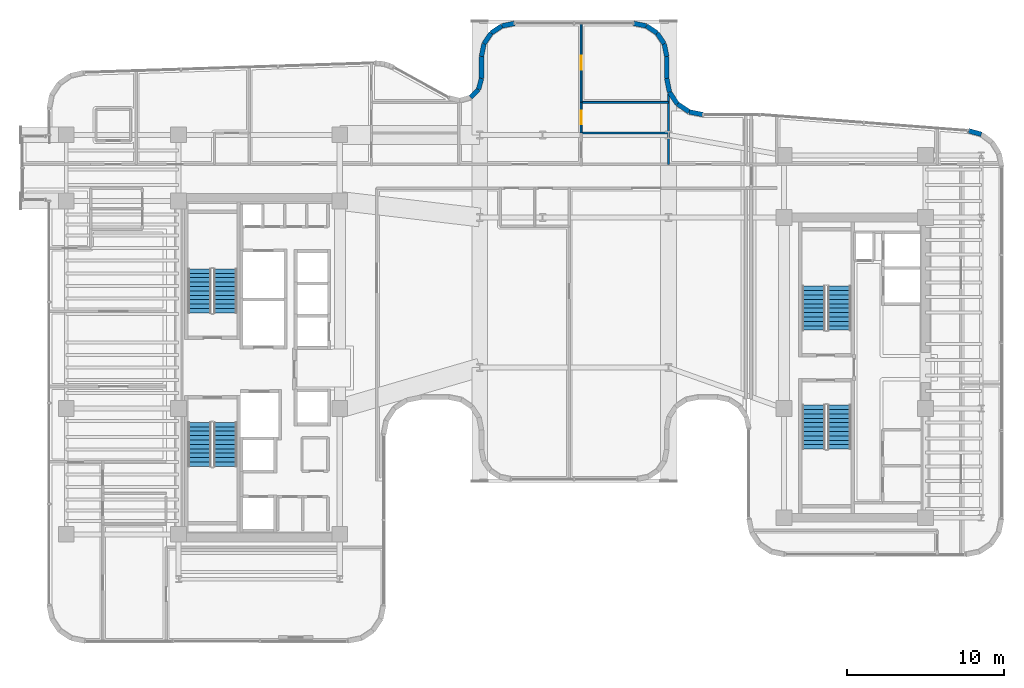
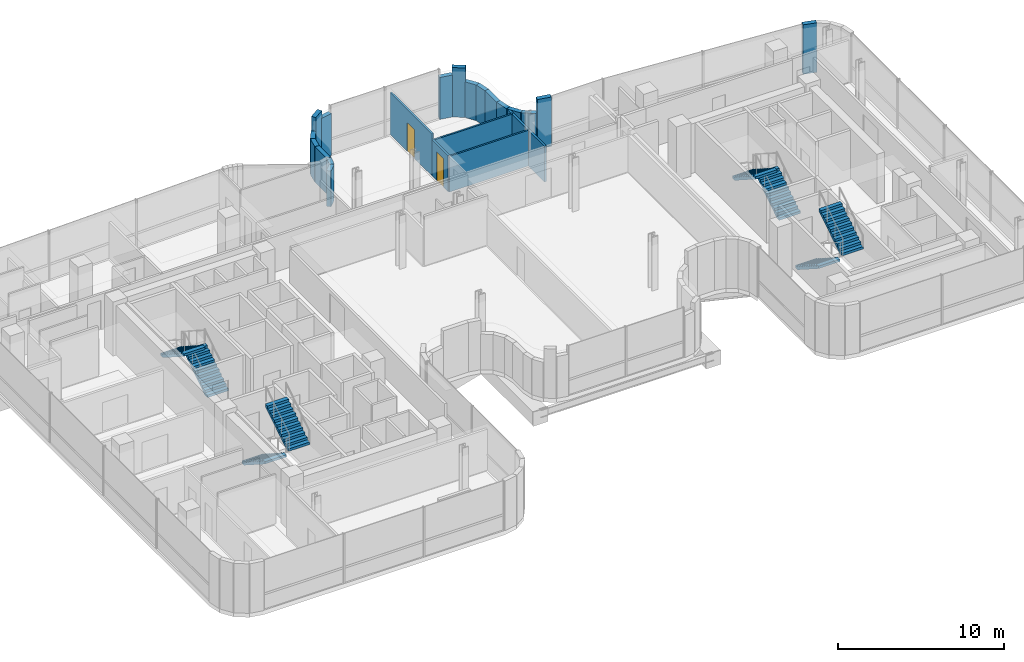
# One storey, part 32 of 39: 22 walls, 8 stair flights, 2 doors, 2 openings, 4 elements without a shape of their own.
"""IFC4 building model written with IfcOpenShell, lengths in metres."""

from ifc_helpers import new_model, si_unit, direction, frame, frame_2d, origin, place, context, subcontext, project, spatial, polyline, rectangle, outline, extrude, material, layer, layer_set, type_object, element, fill, aggregate, save


model = new_model("IFC4")

# Units and contexts
model_context = context("Model", 3, precision=1e-05, world=origin(), true_north=direction((0.0, 1.0)))
body_context = subcontext(model_context, "Body", "Model", "MODEL_VIEW")
ifc_project = project(units=[si_unit("LENGTHUNIT", "METRE"), si_unit("AREAUNIT", "SQUARE_METRE"), si_unit("VOLUMEUNIT", "CUBIC_METRE"), si_unit("PLANEANGLEUNIT", "RADIAN"), si_unit("MASSUNIT", "GRAM", prefix="KILO")], contexts=[model_context])

# Site, building, storey
site_placement = place(None, origin())
site = spatial("IfcSite", under=ifc_project, at=site_placement, CompositionType="ELEMENT")
building_placement = place(site_placement, origin())
building = spatial("IfcBuilding", under=site, at=building_placement, Name="Valdorenza Pilgrim Sanctuary Tower", CompositionType="ELEMENT")
storey_placement = place(building_placement, frame((0.0, 0.0, 184.449951171875)))
storey = spatial("IfcBuildingStorey", under=building, at=storey_placement, Name="L47", CompositionType="ELEMENT", Elevation=184.449951171875)

# Walls
ifc_material_1 = material(Name="Honed travertine limestone", Category="masonry")
ifc_layer_1 = layer(ifc_material_1, 0.300048828125, Name="Honed travertine limestone")
ifc_layer_set_1 = layer_set([ifc_layer_1], Name="Honed travertine limestone")
wall_type_1 = type_object("IfcWallType", Name="WAL-EXT-300", PredefinedType="SOLIDWALL", material=ifc_layer_set_1)
wall_1_placement = place(storey_placement, frame((-4.08203125, 17.184326171875, 0.0), z_axis=(0.0, 0.0, 1.0), x_axis=(0.701538604215, 0.712631452293, 0.0)))
element("IfcWall", 1, at=wall_1_placement, inside=storey, type_object=wall_type_1, Name="L47 Rounded Wind-Corner Stone Pier 14", PredefinedType="SOLIDWALL", context=body_context, shape_type="SweptSolid", body=[
    extrude(rectangle(XDim=0.726318359375, YDim=0.300048828125, at=frame_2d((0.36328125, 0.0))), origin(), (0.0, 0.0, 1.0), 2.614990234375),
])
wall_2_placement = place(storey_placement, frame((-3.572509765625, 17.701904296875, 0.0), z_axis=(0.0, 0.0, 1.0), x_axis=(0.256637481794, 0.966507735581, 0.0)))
element("IfcWall", 2, at=wall_2_placement, inside=storey, type_object=wall_type_1, Name="L47 Rounded Wind-Corner Stone Pier 15", PredefinedType="SOLIDWALL", context=body_context, shape_type="SweptSolid", body=[
    extrude(rectangle(XDim=0.711669921875, YDim=0.300048828125, at=frame_2d((0.35595703125, 0.0))), origin(), (0.0, 0.0, 1.0), 2.614990234375),
])
wall_3_placement = place(storey_placement, frame((-3.389892578125, 18.3896484375, 0.0), z_axis=(0.0, 0.0, 1.0), x_axis=(0.0, 1.0, 0.0)))
element("IfcWall", 3, at=wall_3_placement, inside=storey, type_object=wall_type_1, Name="L47 Rounded Wind-Corner Stone Pier 16", PredefinedType="SOLIDWALL", context=body_context, shape_type="SweptSolid", body=[
    extrude(rectangle(XDim=1.3955078125, YDim=0.300048828125, at=frame_2d((0.69775390625, 0.0))), origin(), (0.0, 0.0, 1.0), 2.614990234375),
])
wall_4_placement = place(storey_placement, frame((-3.389892578125, 19.78515625, 0.0), z_axis=(0.0, 0.0, 1.0), x_axis=(0.195094354541, 0.980784478276, 0.0)))
element("IfcWall", 4, at=wall_4_placement, inside=storey, type_object=wall_type_1, Name="L47 Rounded Wind-Corner Stone Pier 17", PredefinedType="SOLIDWALL", context=body_context, shape_type="SweptSolid", body=[
    extrude(rectangle(XDim=0.8271484375, YDim=0.300048828125, at=frame_2d((0.41357421875, 0.0))), origin(), (0.0, 0.0, 1.0), 2.614990234375),
])
wall_5_placement = place(storey_placement, frame((-3.228515625, 20.596435546875, 0.0), z_axis=(0.0, 0.0, 1.0), x_axis=(0.55545926088, 0.831543750805, 0.0)))
element("IfcWall", 5, at=wall_5_placement, inside=storey, type_object=wall_type_1, Name="L47 Rounded Wind-Corner Stone Pier 18", PredefinedType="SOLIDWALL", context=body_context, shape_type="SweptSolid", body=[
    extrude(rectangle(XDim=0.816162109375, YDim=0.300048828125, at=frame_2d((0.408203125, 0.0))), origin(), (0.0, 0.0, 1.0), 2.614990234375),
])
wall_6_placement = place(storey_placement, frame((-2.775146484375, 21.275146484375, 0.0), z_axis=(0.0, 0.0, 1.0), x_axis=(0.831543750805, 0.55545926088, 0.0)))
element("IfcWall", 6, at=wall_6_placement, inside=storey, type_object=wall_type_1, Name="L47 Rounded Wind-Corner Stone Pier 19", PredefinedType="SOLIDWALL", context=body_context, shape_type="SweptSolid", body=[
    extrude(rectangle(XDim=0.816162109375, YDim=0.300048828125, at=frame_2d((0.408203125, 0.0))), origin(), (0.0, 0.0, 1.0), 3.630126953125),
])
for number, where, z_axis, x_axis, name in (
    (7, (-2.096435546875, 21.728515625, 0.0), (0.0, 0.0, 1.0), (0.980784478276, 0.195094354541, 0.0), "L47 Rounded Wind-Corner Stone Pier 20"),
    (8, (6.28515625, 21.889892578125, 0.0), (0.0, 0.0, 1.0), (0.980784478276, -0.195094354541, 0.0), "L47 Rounded Wind-Corner Stone Pier 22"),
):
    element("IfcWall", number, at=place(storey_placement, frame(where, z_axis=z_axis, x_axis=x_axis)), inside=storey, type_object=wall_type_1, Name=name, PredefinedType="SOLIDWALL", context=body_context, shape_type="SweptSolid", body=[
        extrude(rectangle(XDim=0.8271484375, YDim=0.300048828125, at=frame_2d((0.41357421875, 0.0))), origin(), (0.0, 0.0, 1.0), 3.075927734375),
    ])
wall_7_placement = place(storey_placement, frame((7.096435546875, 21.728515625, 0.0), z_axis=(0.0, 0.0, 1.0), x_axis=(0.831543750805, -0.55545926088, 0.0)))
element("IfcWall", 9, at=wall_7_placement, inside=storey, type_object=wall_type_1, Name="L47 Rounded Wind-Corner Stone Pier 23", PredefinedType="SOLIDWALL", context=body_context, shape_type="SweptSolid", body=[
    extrude(rectangle(XDim=0.816162109375, YDim=0.300048828125, at=frame_2d((0.408203125, 0.0))), origin(), (0.0, 0.0, 1.0), 3.630126953125),
])
wall_8_placement = place(storey_placement, frame((7.775146484375, 21.275146484375, 0.0), z_axis=(0.0, 0.0, 1.0), x_axis=(0.55545926088, -0.831543750805, 0.0)))
element("IfcWall", 10, at=wall_8_placement, inside=storey, type_object=wall_type_1, Name="L47 Rounded Wind-Corner Stone Pier 24", PredefinedType="SOLIDWALL", context=body_context, shape_type="SweptSolid", body=[
    extrude(rectangle(XDim=0.816162109375, YDim=0.300048828125, at=frame_2d((0.408203125, 0.0))), origin(), (0.0, 0.0, 1.0), 2.614990234375),
])
wall_9_placement = place(storey_placement, frame((8.228515625, 20.596435546875, 0.0), z_axis=(0.0, 0.0, 1.0), x_axis=(0.195094354541, -0.980784478276, 0.0)))
element("IfcWall", 11, at=wall_9_placement, inside=storey, type_object=wall_type_1, Name="L47 Rounded Wind-Corner Stone Pier 25", PredefinedType="SOLIDWALL", context=body_context, shape_type="SweptSolid", body=[
    extrude(rectangle(XDim=0.8271484375, YDim=0.300048828125, at=frame_2d((0.41357421875, 0.0))), origin(), (0.0, 0.0, 1.0), 2.614990234375),
])
wall_10_placement = place(storey_placement, frame((8.389892578125, 19.78515625, 0.0), z_axis=(0.0, 0.0, 1.0), x_axis=(0.0, -1.0, 0.0)))
element("IfcWall", 12, at=wall_10_placement, inside=storey, type_object=wall_type_1, Name="L47 Rounded Wind-Corner Stone Pier 26", PredefinedType="SOLIDWALL", context=body_context, shape_type="SweptSolid", body=[
    extrude(rectangle(XDim=1.391845703125, YDim=0.300048828125, at=frame_2d((0.69580078125, 0.0))), origin(), (0.0, 0.0, 1.0), 2.614990234375),
])
wall_11_placement = place(storey_placement, frame((8.389892578125, 18.393310546875, 0.0), z_axis=(0.0, 0.0, 1.0), x_axis=(0.195222179208, -0.980759043163, 0.0)))
element("IfcWall", 13, at=wall_11_placement, inside=storey, type_object=wall_type_1, Name="L47 Rounded Wind-Corner Stone Pier 27", PredefinedType="SOLIDWALL", context=body_context, shape_type="SweptSolid", body=[
    extrude(rectangle(XDim=0.892822265625, YDim=0.300048828125, at=frame_2d((0.4462890625, 0.0))), origin(), (0.0, 0.0, 1.0), 2.614990234375),
])
for number, where, z_axis, x_axis, name in (
    (14, (8.564208984375, 17.517578125, 0.0), (0.0, 0.0, 1.0), (0.555448106233, -0.831551201841, 0.0), "L47 Rounded Wind-Corner Stone Pier 28"),
    (15, (9.066162109375, 16.76611328125, 0.0), (0.0, 0.0, 1.0), (0.831551201841, -0.555448106233, 0.0), "L47 Rounded Wind-Corner Stone Pier 29"),
):
    element("IfcWall", number, at=place(storey_placement, frame(where, z_axis=z_axis, x_axis=x_axis)), inside=storey, type_object=wall_type_1, Name=name, PredefinedType="SOLIDWALL", context=body_context, shape_type="SweptSolid", body=[
        extrude(rectangle(XDim=0.90380859375, YDim=0.300048828125, at=frame_2d((0.451904296875, 0.0))), origin(), (0.0, 0.0, 1.0), 2.614990234375),
    ])
wall_12_placement = place(storey_placement, frame((9.817626953125, 16.26416015625, 0.0), z_axis=(0.0, 0.0, 1.0), x_axis=(0.980800964186, -0.195011457743, 0.0)))
element("IfcWall", 16, at=wall_12_placement, inside=storey, type_object=wall_type_1, Name="L47 Rounded Wind-Corner Stone Pier 30", PredefinedType="SOLIDWALL", context=body_context, shape_type="SweptSolid", body=[
    extrude(rectangle(XDim=0.892578125, YDim=0.300048828125, at=frame_2d((0.4462890625, 0.0))), origin(), (0.0, 0.0, 1.0), 3.630126953125),
])
wall_13_placement = place(storey_placement, frame((27.56640625, 15.0625, 0.0), z_axis=(0.0, 0.0, 1.0), x_axis=(0.965357594382, -0.260930479187, 0.0)))
element("IfcWall", 17, at=wall_13_placement, inside=storey, type_object=wall_type_1, Name="L47 Rounded Wind-Corner Stone Pier 33", PredefinedType="SOLIDWALL", context=body_context, shape_type="SweptSolid", body=[
    extrude(rectangle(XDim=0.85986328125, YDim=0.300048828125, at=frame_2d((0.429931640625, 0.0))), origin(), (0.0, 0.0, 1.0), 3.630126953125),
])
ifc_material_2 = material(Name="Moisture-resistant gypsum partition", Category="gypsum")
ifc_layer_2 = layer(ifc_material_2, 0.1201171875, Name="Moisture-resistant gypsum partition")
ifc_layer_set_2 = layer_set([ifc_layer_2], Name="Moisture-resistant gypsum partition")
wall_type_2 = type_object("IfcWallType", Name="WAL-INT-120", PredefinedType="PARTITIONING", material=ifc_layer_set_2)
for number, where, z_axis, x_axis, name in (
    (18, (2.9501953125, 14.919921875, 0.0), (0.0, 0.0, 1.0), (1.0, 0.0, 0.0), "L47 North Family Flat L47-N3 Bath-Kitchen Wall"),
    (19, (2.9501953125, 16.8701171875, 0.0), (0.0, 0.0, 1.0), (1.0, 0.0, 0.0), "L47 North Family Flat L47-N3 Kitchen-Bedroom Wall"),
):
    element("IfcWall", number, at=place(storey_placement, frame(where, z_axis=z_axis, x_axis=x_axis)), inside=storey, type_object=wall_type_2, Name=name, PredefinedType="PARTITIONING", context=body_context, shape_type="SweptSolid", body=[
        extrude(rectangle(XDim=5.5498046875, YDim=0.1201171875, at=frame_2d((2.77490234375, 0.0))), origin(), (0.0, 0.0, 1.0), 2.614990234375),
    ])

# Wall, opening, door
wall_14_placement = place(storey_placement, frame((2.9501953125, 14.919921875, 0.0), z_axis=(0.0, 0.0, 1.0), x_axis=(0.0, 1.0, 0.0)))
wall_14 = element("IfcWall", 20, at=wall_14_placement, inside=storey, type_object=wall_type_2, Name="L47 North Family Flat L47-N3 Bathroom Door Wall", PredefinedType="PARTITIONING", context=body_context, shape_type="SweptSolid", body=[
    extrude(rectangle(XDim=1.9501953125, YDim=0.1201171875, at=frame_2d((0.97509765625, 0.0))), origin(), (0.0, 0.0, 1.0), 2.6650390625),
])
opening_1_placement = place(wall_14_placement, frame((0.550048828125, 0.0, 0.0)))
opening_1 = element("IfcOpeningElement", 21, at=opening_1_placement, cuts=wall_14, Name="Opening DR-WC1", PredefinedType="OPENING", context=body_context, shape_type="SweptSolid", body=[
    extrude(rectangle(XDim=0.85009765625, YDim=2.10009765625, at=frame_2d((0.425048828125, 1.050048828125))), frame((0.0, 0.074951171875, 0.0), z_axis=(0.0, -1.0, 0.0), x_axis=(1.0, 0.0, 0.0)), (0.0, 0.0, 1.0), 0.14990234375),
])
ifc_material_3 = material(Name="Moisture-resistant lacquered timber", Category="wood")
door_type_1 = type_object("IfcDoorType", Name="DR-BATH-850", OperationType="NOTDEFINED", PredefinedType="DOOR", material=ifc_material_3)
door_1_placement = place(opening_1_placement, origin())
door_1 = element("IfcDoor", 22, at=door_1_placement, inside=storey, type_object=door_type_1, Name="L47 North Family Flat L47-N3 Bathroom Door", OperationType="SINGLE_SWING_LEFT", OverallHeight=2.10009765625, OverallWidth=0.85009765625, PredefinedType="DOOR", context=body_context, shape_type="SweptSolid", body=[
    extrude(rectangle(XDim=0.85009765625, YDim=2.10009765625, at=frame_2d((0.425048828125, 1.050048828125))), frame((0.0, 0.02490234375, 0.0), z_axis=(0.0, -1.0, 0.0), x_axis=(1.0, 0.0, 0.0)), (0.0, 0.0, 1.0), 0.050048828125),
])
fill(opening_1, door_1)

wall_15_placement = place(storey_placement, frame((2.9501953125, 16.8701171875, 0.0), z_axis=(0.0, 0.0, 1.0), x_axis=(0.0, 1.0, 0.0)))
wall_15 = element("IfcWall", 23, at=wall_15_placement, inside=storey, type_object=wall_type_2, Name="L47 North Family Flat L47-N3 Bedroom Door Wall", PredefinedType="PARTITIONING", context=body_context, shape_type="SweptSolid", body=[
    extrude(rectangle(XDim=5.019775390625, YDim=0.1201171875, at=frame_2d((2.509765625, 0.0))), origin(), (0.0, 0.0, 1.0), 3.075927734375),
])
opening_2_placement = place(wall_15_placement, frame((2.06005859375, 0.0, 0.0)))
opening_2 = element("IfcOpeningElement", 24, at=opening_2_placement, cuts=wall_15, Name="Opening DR-RM1", PredefinedType="OPENING", context=body_context, shape_type="SweptSolid", body=[
    extrude(rectangle(XDim=0.89990234375, YDim=2.10009765625, at=frame_2d((0.449951171875, 1.050048828125))), frame((0.0, 0.074951171875, 0.0), z_axis=(0.0, -1.0, 0.0), x_axis=(1.0, 0.0, 0.0)), (0.0, 0.0, 1.0), 0.14990234375),
])
ifc_material_4 = material(Name="Solid-core European oak timber", Category="wood")
door_type_2 = type_object("IfcDoorType", Name="DR-ROOM-900", OperationType="NOTDEFINED", PredefinedType="DOOR", material=ifc_material_4)
door_2_placement = place(opening_2_placement, frame((0.89990234375, 0.0, 0.0), z_axis=(0.0, 0.0, 1.0), x_axis=(-1.0, 0.0, 0.0)))
door_2 = element("IfcDoor", 25, at=door_2_placement, inside=storey, type_object=door_type_2, Name="L47 North Family Flat L47-N3 Bedroom Door", OperationType="SINGLE_SWING_LEFT", OverallHeight=2.10009765625, OverallWidth=0.89990234375, PredefinedType="DOOR", context=body_context, shape_type="SweptSolid", body=[
    extrude(rectangle(XDim=0.89990234375, YDim=2.10009765625, at=frame_2d((0.449951171875, 1.050048828125))), frame((0.0, 0.02490234375, 0.0), z_axis=(0.0, -1.0, 0.0), x_axis=(1.0, 0.0, 0.0)), (0.0, 0.0, 1.0), 0.050048828125),
])
fill(opening_2, door_2)

# Wall
ifc_material_5 = material(Name="Acoustic twin-stud gypsum partition", Category="gypsum")
ifc_layer_3 = layer(ifc_material_5, 0.14990234375, Name="Acoustic twin-stud gypsum partition")
ifc_layer_set_3 = layer_set([ifc_layer_3], Name="Acoustic twin-stud gypsum partition")
wall_type_3 = type_object("IfcWallType", Name="WAL-UNT-150", PredefinedType="PARTITIONING", material=ifc_layer_set_3)
wall_16_placement = place(storey_placement, frame((8.5, 12.919921875, 0.0), z_axis=(0.0, 0.0, 1.0), x_axis=(0.0, 1.0, 0.0)))
element("IfcWall", 26, at=wall_16_placement, inside=storey, type_object=wall_type_3, Name="L47 North-East Prow Split Wall", PredefinedType="PARTITIONING", context=body_context, shape_type="SweptSolid", body=[
    extrude(rectangle(XDim=4.468994140625, YDim=0.14990234375, at=frame_2d((2.234375, 0.0))), origin(), (0.0, 0.0, 1.0), 2.614990234375),
])

# Stair, stair flights
ifc_material_6 = material(Name="Concrete C40/50", Category="concrete")
stair_type = type_object("IfcStairType", Name="STR-DOG-CORE", PredefinedType="HALF_TURN_STAIR", material=ifc_material_6)
stair_1_placement = place(storey_placement, origin())
stair_1 = element("IfcStair", 27, at=stair_1_placement, inside=storey, type_object=stair_type, Name="L47 ST-A1", PredefinedType="HALF_TURN_STAIR")
stair_flight_type = type_object("IfcStairFlightType", Name="STF-RC-1400", PredefinedType="STRAIGHT", material=ifc_material_6)
stair_flight_1_placement = place(storey_placement, frame((-19.679931640625, 3.47998046875, 0.0), z_axis=(0.0, 0.0, 1.0), x_axis=(0.0, 1.0, 0.0)))
stair_flight_1 = element("IfcStairFlight", 28, at=stair_flight_1_placement, type_object=stair_flight_type, Name="ST-A1 flight 1", NumberOfRisers=11, NumberOfTreads=10, PredefinedType="STRAIGHT", RiserHeight=0.179545455, TreadLength=0.28, context=body_context, shape_type="SweptSolid", body=[
    extrude(outline(polyline([(0.0, 0.0), (0.0, 0.179443359375), (0.280029296875, 0.179443359375), (0.280029296875, 0.359130859375), (0.56005859375, 0.359130859375), (0.56005859375, 0.53857421875), (0.840087890625, 0.53857421875), (0.840087890625, 0.71826171875), (1.1201171875, 0.71826171875), (1.1201171875, 0.897705078125), (1.39990234375, 0.897705078125), (1.39990234375, 1.077392578125), (1.679931640625, 1.077392578125), (1.679931640625, 1.2568359375), (1.9599609375, 1.2568359375), (1.9599609375, 1.436279296875), (2.239990234375, 1.436279296875), (2.239990234375, 1.615966796875), (2.52001953125, 1.615966796875), (2.52001953125, 1.79541015625), (2.800048828125, 1.79541015625), (2.800048828125, 1.97509765625), (2.800048828125, 1.617431640625), (0.277587890625, 0.0), (0.0, 0.0)])), frame((0.0, 0.739990234375, 0.0), z_axis=(0.0, -1.0, 0.0), x_axis=(1.0, 0.0, 0.0)), (0.0, 0.0, 1.0), 1.47998046875),
])
stair_flight_2_placement = place(storey_placement, frame((-21.31005859375, 6.280029296875, 1.97509765625), z_axis=(0.0, 0.0, 1.0), x_axis=(0.0, -1.0, 0.0)))
stair_flight_2 = element("IfcStairFlight", 29, at=stair_flight_2_placement, type_object=stair_flight_type, Name="ST-A1 flight 2", NumberOfRisers=11, NumberOfTreads=10, PredefinedType="STRAIGHT", RiserHeight=0.179545455, TreadLength=0.28, context=body_context, shape_type="SweptSolid", body=[
    extrude(outline(polyline([(0.0, 0.0), (0.0, 0.179443359375), (0.280029296875, 0.179443359375), (0.280029296875, 0.359130859375), (0.56005859375, 0.359130859375), (0.56005859375, 0.53857421875), (0.840087890625, 0.53857421875), (0.840087890625, 0.71826171875), (1.1201171875, 0.71826171875), (1.1201171875, 0.897705078125), (1.39990234375, 0.897705078125), (1.39990234375, 1.077392578125), (1.679931640625, 1.077392578125), (1.679931640625, 1.2568359375), (1.9599609375, 1.2568359375), (1.9599609375, 1.436279296875), (2.239990234375, 1.436279296875), (2.239990234375, 1.615966796875), (2.52001953125, 1.615966796875), (2.52001953125, 1.79541015625), (2.800048828125, 1.79541015625), (2.800048828125, 1.97509765625), (2.800048828125, 1.617431640625), (0.277587890625, 0.0), (0.0, 0.0)])), frame((0.0, 0.739990234375, 0.0), z_axis=(0.0, -1.0, 0.0), x_axis=(1.0, 0.0, 0.0)), (0.0, 0.0, 1.0), 1.47998046875),
])
aggregate(stair_1, [stair_flight_1, stair_flight_2])

stair_2_placement = place(storey_placement, origin())
stair_2 = element("IfcStair", 30, at=stair_2_placement, inside=storey, type_object=stair_type, Name="L47 ST-A2", PredefinedType="HALF_TURN_STAIR")
stair_flight_3_placement = place(storey_placement, frame((-21.31005859375, -3.47998046875, 0.0), z_axis=(0.0, 0.0, 1.0), x_axis=(0.0, -1.0, 0.0)))
stair_flight_3 = element("IfcStairFlight", 31, at=stair_flight_3_placement, type_object=stair_flight_type, Name="ST-A2 flight 1", NumberOfRisers=11, NumberOfTreads=10, PredefinedType="STRAIGHT", RiserHeight=0.179545455, TreadLength=0.28, context=body_context, shape_type="SweptSolid", body=[
    extrude(outline(polyline([(0.0, 0.0), (0.0, 0.179443359375), (0.280029296875, 0.179443359375), (0.280029296875, 0.359130859375), (0.56005859375, 0.359130859375), (0.56005859375, 0.53857421875), (0.840087890625, 0.53857421875), (0.840087890625, 0.71826171875), (1.1201171875, 0.71826171875), (1.1201171875, 0.897705078125), (1.39990234375, 0.897705078125), (1.39990234375, 1.077392578125), (1.679931640625, 1.077392578125), (1.679931640625, 1.2568359375), (1.9599609375, 1.2568359375), (1.9599609375, 1.436279296875), (2.239990234375, 1.436279296875), (2.239990234375, 1.615966796875), (2.52001953125, 1.615966796875), (2.52001953125, 1.79541015625), (2.800048828125, 1.79541015625), (2.800048828125, 1.97509765625), (2.800048828125, 1.617431640625), (0.277587890625, 0.0), (0.0, 0.0)])), frame((0.0, 0.739990234375, 0.0), z_axis=(0.0, -1.0, 0.0), x_axis=(1.0, 0.0, 0.0)), (0.0, 0.0, 1.0), 1.47998046875),
])
stair_flight_4_placement = place(storey_placement, frame((-19.679931640625, -6.280029296875, 1.97509765625), z_axis=(0.0, 0.0, 1.0), x_axis=(0.0, 1.0, 0.0)))
stair_flight_4 = element("IfcStairFlight", 32, at=stair_flight_4_placement, type_object=stair_flight_type, Name="ST-A2 flight 2", NumberOfRisers=11, NumberOfTreads=10, PredefinedType="STRAIGHT", RiserHeight=0.179545455, TreadLength=0.28, context=body_context, shape_type="SweptSolid", body=[
    extrude(outline(polyline([(0.0, 0.0), (0.0, 0.179443359375), (0.280029296875, 0.179443359375), (0.280029296875, 0.359130859375), (0.56005859375, 0.359130859375), (0.56005859375, 0.53857421875), (0.840087890625, 0.53857421875), (0.840087890625, 0.71826171875), (1.1201171875, 0.71826171875), (1.1201171875, 0.897705078125), (1.39990234375, 0.897705078125), (1.39990234375, 1.077392578125), (1.679931640625, 1.077392578125), (1.679931640625, 1.2568359375), (1.9599609375, 1.2568359375), (1.9599609375, 1.436279296875), (2.239990234375, 1.436279296875), (2.239990234375, 1.615966796875), (2.52001953125, 1.615966796875), (2.52001953125, 1.79541015625), (2.800048828125, 1.79541015625), (2.800048828125, 1.97509765625), (2.800048828125, 1.617431640625), (0.277587890625, 0.0), (0.0, 0.0)])), frame((0.0, 0.739990234375, 0.0), z_axis=(0.0, -1.0, 0.0), x_axis=(1.0, 0.0, 0.0)), (0.0, 0.0, 1.0), 1.47998046875),
])
aggregate(stair_2, [stair_flight_3, stair_flight_4])

stair_3_placement = place(storey_placement, origin())
stair_3 = element("IfcStair", 33, at=stair_3_placement, inside=storey, type_object=stair_type, Name="L47 ST-B1", PredefinedType="HALF_TURN_STAIR")
stair_flight_5_placement = place(storey_placement, frame((19.3701171875, 2.3798828125, 0.0), z_axis=(0.0, 0.0, 1.0), x_axis=(0.0, 1.0, 0.0)))
stair_flight_5 = element("IfcStairFlight", 34, at=stair_flight_5_placement, type_object=stair_flight_type, Name="ST-B1 flight 1", NumberOfRisers=11, NumberOfTreads=10, PredefinedType="STRAIGHT", RiserHeight=0.179545455, TreadLength=0.28, context=body_context, shape_type="SweptSolid", body=[
    extrude(outline(polyline([(0.0, 0.0), (0.0, 0.179443359375), (0.280029296875, 0.179443359375), (0.280029296875, 0.359130859375), (0.56005859375, 0.359130859375), (0.56005859375, 0.53857421875), (0.840087890625, 0.53857421875), (0.840087890625, 0.71826171875), (1.1201171875, 0.71826171875), (1.1201171875, 0.897705078125), (1.39990234375, 0.897705078125), (1.39990234375, 1.077392578125), (1.679931640625, 1.077392578125), (1.679931640625, 1.2568359375), (1.9599609375, 1.2568359375), (1.9599609375, 1.436279296875), (2.239990234375, 1.436279296875), (2.239990234375, 1.615966796875), (2.52001953125, 1.615966796875), (2.52001953125, 1.79541015625), (2.800048828125, 1.79541015625), (2.800048828125, 1.97509765625), (2.800048828125, 1.617431640625), (0.277587890625, 0.0), (0.0, 0.0)])), frame((0.0, 0.739990234375, 0.0), z_axis=(0.0, -1.0, 0.0), x_axis=(1.0, 0.0, 0.0)), (0.0, 0.0, 1.0), 1.47998046875),
])
stair_flight_6_placement = place(storey_placement, frame((17.739990234375, 5.179931640625, 1.97509765625), z_axis=(0.0, 0.0, 1.0), x_axis=(0.0, -1.0, 0.0)))
stair_flight_6 = element("IfcStairFlight", 35, at=stair_flight_6_placement, type_object=stair_flight_type, Name="ST-B1 flight 2", NumberOfRisers=11, NumberOfTreads=10, PredefinedType="STRAIGHT", RiserHeight=0.179545455, TreadLength=0.28, context=body_context, shape_type="SweptSolid", body=[
    extrude(outline(polyline([(0.0, 0.0), (0.0, 0.179443359375), (0.280029296875, 0.179443359375), (0.280029296875, 0.359130859375), (0.56005859375, 0.359130859375), (0.56005859375, 0.53857421875), (0.840087890625, 0.53857421875), (0.840087890625, 0.71826171875), (1.1201171875, 0.71826171875), (1.1201171875, 0.897705078125), (1.39990234375, 0.897705078125), (1.39990234375, 1.077392578125), (1.679931640625, 1.077392578125), (1.679931640625, 1.2568359375), (1.9599609375, 1.2568359375), (1.9599609375, 1.436279296875), (2.239990234375, 1.436279296875), (2.239990234375, 1.615966796875), (2.52001953125, 1.615966796875), (2.52001953125, 1.79541015625), (2.800048828125, 1.79541015625), (2.800048828125, 1.97509765625), (2.800048828125, 1.617431640625), (0.277587890625, 0.0), (0.0, 0.0)])), frame((0.0, 0.739990234375, 0.0), z_axis=(0.0, -1.0, 0.0), x_axis=(1.0, 0.0, 0.0)), (0.0, 0.0, 1.0), 1.47998046875),
])
aggregate(stair_3, [stair_flight_5, stair_flight_6])

stair_4_placement = place(storey_placement, origin())
stair_4 = element("IfcStair", 36, at=stair_4_placement, inside=storey, type_object=stair_type, Name="L47 ST-B2", PredefinedType="HALF_TURN_STAIR")
stair_flight_7_placement = place(storey_placement, frame((17.739990234375, -2.3798828125, 0.0), z_axis=(0.0, 0.0, 1.0), x_axis=(0.0, -1.0, 0.0)))
stair_flight_7 = element("IfcStairFlight", 37, at=stair_flight_7_placement, type_object=stair_flight_type, Name="ST-B2 flight 1", NumberOfRisers=11, NumberOfTreads=10, PredefinedType="STRAIGHT", RiserHeight=0.179545455, TreadLength=0.28, context=body_context, shape_type="SweptSolid", body=[
    extrude(outline(polyline([(0.0, 0.0), (0.0, 0.179443359375), (0.280029296875, 0.179443359375), (0.280029296875, 0.359130859375), (0.56005859375, 0.359130859375), (0.56005859375, 0.53857421875), (0.840087890625, 0.53857421875), (0.840087890625, 0.71826171875), (1.1201171875, 0.71826171875), (1.1201171875, 0.897705078125), (1.39990234375, 0.897705078125), (1.39990234375, 1.077392578125), (1.679931640625, 1.077392578125), (1.679931640625, 1.2568359375), (1.9599609375, 1.2568359375), (1.9599609375, 1.436279296875), (2.239990234375, 1.436279296875), (2.239990234375, 1.615966796875), (2.52001953125, 1.615966796875), (2.52001953125, 1.79541015625), (2.800048828125, 1.79541015625), (2.800048828125, 1.97509765625), (2.800048828125, 1.617431640625), (0.277587890625, 0.0), (0.0, 0.0)])), frame((0.0, 0.739990234375, 0.0), z_axis=(0.0, -1.0, 0.0), x_axis=(1.0, 0.0, 0.0)), (0.0, 0.0, 1.0), 1.47998046875),
])
stair_flight_8_placement = place(storey_placement, frame((19.3701171875, -5.179931640625, 1.97509765625), z_axis=(0.0, 0.0, 1.0), x_axis=(0.0, 1.0, 0.0)))
stair_flight_8 = element("IfcStairFlight", 38, at=stair_flight_8_placement, type_object=stair_flight_type, Name="ST-B2 flight 2", NumberOfRisers=11, NumberOfTreads=10, PredefinedType="STRAIGHT", RiserHeight=0.179545455, TreadLength=0.28, context=body_context, shape_type="SweptSolid", body=[
    extrude(outline(polyline([(0.0, 0.0), (0.0, 0.179443359375), (0.280029296875, 0.179443359375), (0.280029296875, 0.359130859375), (0.56005859375, 0.359130859375), (0.56005859375, 0.53857421875), (0.840087890625, 0.53857421875), (0.840087890625, 0.71826171875), (1.1201171875, 0.71826171875), (1.1201171875, 0.897705078125), (1.39990234375, 0.897705078125), (1.39990234375, 1.077392578125), (1.679931640625, 1.077392578125), (1.679931640625, 1.2568359375), (1.9599609375, 1.2568359375), (1.9599609375, 1.436279296875), (2.239990234375, 1.436279296875), (2.239990234375, 1.615966796875), (2.52001953125, 1.615966796875), (2.52001953125, 1.79541015625), (2.800048828125, 1.79541015625), (2.800048828125, 1.97509765625), (2.800048828125, 1.617431640625), (0.277587890625, 0.0), (0.0, 0.0)])), frame((0.0, 0.739990234375, 0.0), z_axis=(0.0, -1.0, 0.0), x_axis=(1.0, 0.0, 0.0)), (0.0, 0.0, 1.0), 1.47998046875),
])
aggregate(stair_4, [stair_flight_7, stair_flight_8])

save(model, "model.ifc")
